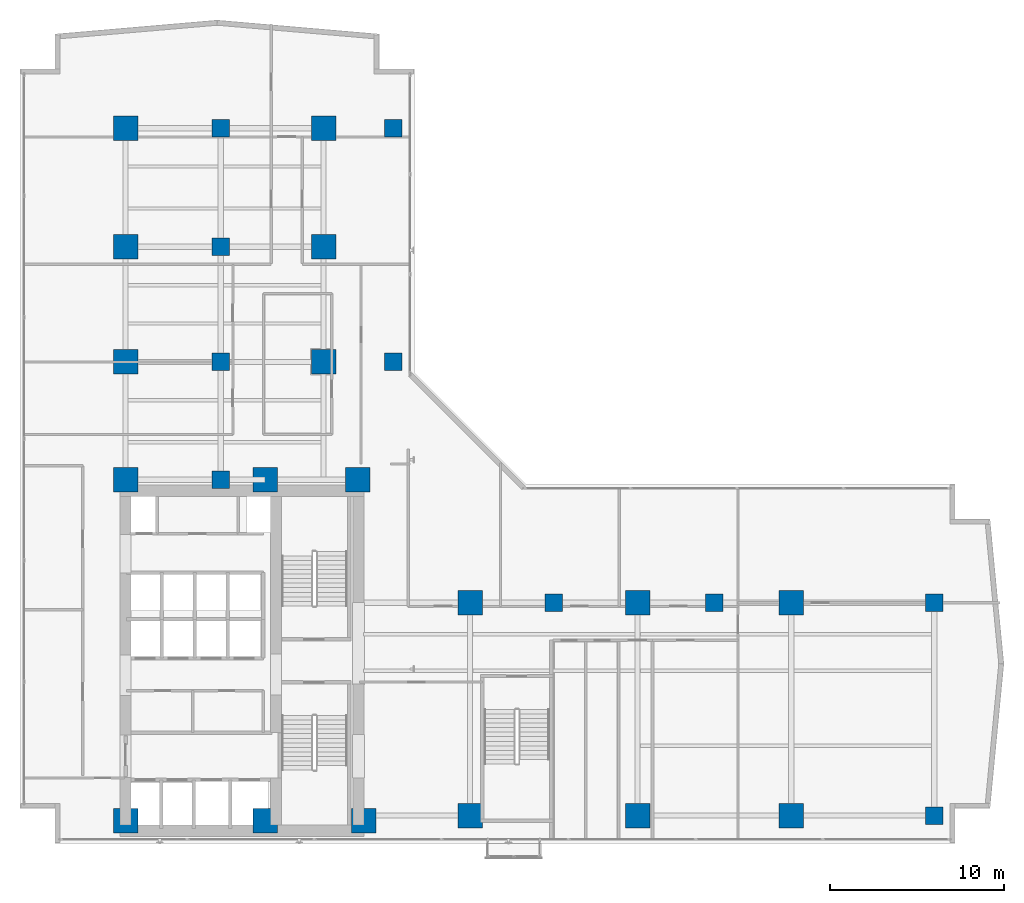
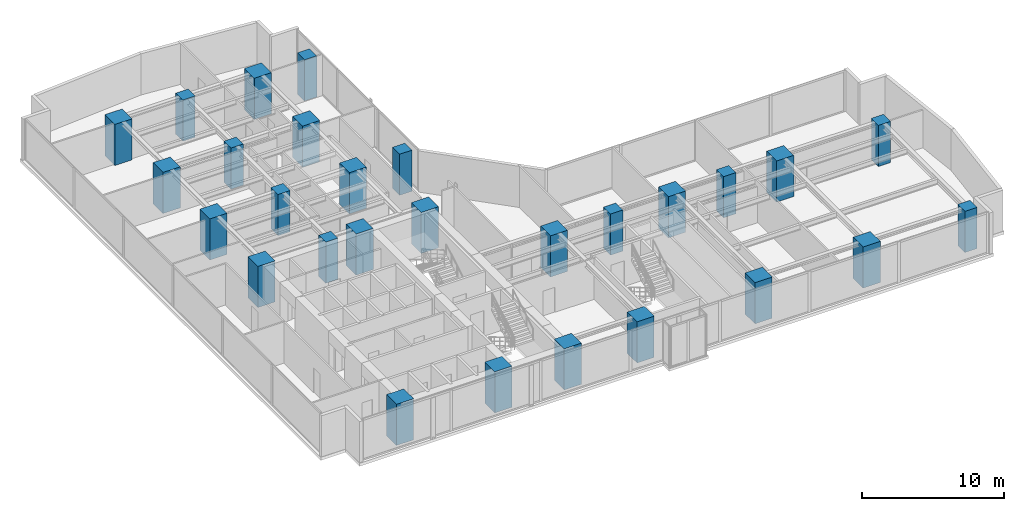
# One storey, part 1 of 26: 28 columns.
"""IFC4 building model written with IfcOpenShell, lengths in metres."""

from ifc_helpers import new_model, si_unit, direction, frame, origin, origin_2d, place, context, subcontext, project, spatial, rectangle, extrude, material, material_profile, profile_set, type_object, element, save


model = new_model("IFC4")

# Units and contexts
model_context = context("Model", 3, precision=1e-05, world=origin(), true_north=direction((0.0, 1.0)))
body_context = subcontext(model_context, "Body", "Model", "MODEL_VIEW")
ifc_project = project(units=[si_unit("LENGTHUNIT", "METRE"), si_unit("AREAUNIT", "SQUARE_METRE"), si_unit("VOLUMEUNIT", "CUBIC_METRE"), si_unit("PLANEANGLEUNIT", "RADIAN"), si_unit("MASSUNIT", "GRAM", prefix="KILO")], contexts=[model_context])

# Site, building, storey
site_placement = place(None, origin())
site = spatial("IfcSite", under=ifc_project, at=site_placement, CompositionType="ELEMENT")
building_placement = place(site_placement, origin())
building = spatial("IfcBuilding", under=site, at=building_placement, Name="Kolvaren Waterfront Exchange", CompositionType="ELEMENT")
storey_placement = place(building_placement, frame((0.0, 0.0, 125.89990234375)))
storey = spatial("IfcBuildingStorey", under=building, at=storey_placement, Name="L32", CompositionType="ELEMENT", Elevation=125.89990234375)

# Columns
ifc_material = material(Name="Concrete C60/75", Category="concrete")
ifc_material_profile_1 = material_profile(ifc_material, rectangle(XDim=1.0, YDim=1.0, at=origin_2d()), Name="RC-COL-1000x1000")
ifc_profile_set_1 = profile_set([ifc_material_profile_1], Name="Concrete C60/75")
column_type_1 = type_object("IfcColumnType", Name="STR-COL-1000-C60", PredefinedType="COLUMN", material=ifc_profile_set_1)
for number, where, z_axis, x_axis, name in (
    (1, (53.800048828125, 5.199951171875, 0.0), (0.0, 0.0, 1.0), (1.0, 0.0, 0.0), "L32 column ZC01"),
    (2, (53.800048828125, 17.39990234375, 0.0), (0.0, 0.0, 1.0), (1.0, 0.0, 0.0), "L32 column ZC02"),
    (3, (22.800048828125, 31.199951171875, 0.0), (0.0, 0.0, 1.0), (1.0, 0.0, 0.0), "L32 column ZC05"),
    (4, (22.800048828125, 44.60009765625, 0.0), (0.0, 0.0, 1.0), (1.0, 0.0, 0.0), "L32 column ZC06"),
    (5, (12.89990234375, 24.449951171875, 0.0), (0.0, 0.0, 1.0), (1.0, 0.0, 0.0), "L32 column TC01"),
    (6, (12.89990234375, 31.199951171875, 0.0), (0.0, 0.0, 1.0), (1.0, 0.0, 0.0), "L32 column TC02"),
    (7, (12.89990234375, 37.800048828125, 0.0), (0.0, 0.0, 1.0), (1.0, 0.0, 0.0), "L32 column TC03"),
    (8, (12.89990234375, 44.60009765625, 0.0), (0.0, 0.0, 1.0), (1.0, 0.0, 0.0), "L32 column TC04"),
    (9, (32.0, 17.39990234375, 0.0), (0.0, 0.0, 1.0), (1.0, 0.0, 0.0), "L32 column TC05"),
    (10, (41.199951171875, 17.39990234375, 0.0), (0.0, 0.0, 1.0), (1.0, 0.0, 0.0), "L32 column TC06"),
):
    element("IfcColumn", number, at=place(storey_placement, frame(where, z_axis=z_axis, x_axis=x_axis)), inside=storey, type_object=column_type_1, Name=name, PredefinedType="COLUMN", context=body_context, shape_type="SweptSolid", body=[
        extrude(rectangle(XDim=1.0, YDim=1.0, at=origin_2d()), origin(), (0.0, 0.0, 1.0), 3.5400390625),
    ])
ifc_material_profile_2 = material_profile(ifc_material, rectangle(XDim=1.39990234375, YDim=1.39990234375, at=origin_2d()), Name="RC-COL-1400x1400")
ifc_profile_set_2 = profile_set([ifc_material_profile_2], Name="Concrete C60/75")
column_type_2 = type_object("IfcColumnType", Name="STR-COL-1400-C60", PredefinedType="COLUMN", material=ifc_profile_set_2)
for number, where, z_axis, x_axis, name in (
    (11, (7.449951171875, 4.89990234375, 0.0), (0.0, 0.0, 1.0), (1.0, 0.0, 0.0), "L32 column MC01"),
    (12, (15.449951171875, 4.89990234375, 0.0), (0.0, 0.0, 1.0), (1.0, 0.0, 0.0), "L32 column MC02"),
    (13, (21.10009765625, 4.89990234375, 0.0), (0.0, 0.0, 1.0), (1.0, 0.0, 0.0), "L32 column MC03"),
    (14, (7.449951171875, 24.449951171875, 0.0), (0.0, 0.0, 1.0), (1.0, 0.0, 0.0), "L32 column MC04"),
    (15, (15.449951171875, 24.449951171875, 0.0), (0.0, 0.0, 1.0), (1.0, 0.0, 0.0), "L32 column MC05"),
    (16, (20.75, 24.449951171875, 0.0), (0.0, 0.0, 1.0), (1.0, 0.0, 0.0), "L32 column MC06"),
    (17, (7.449951171875, 31.199951171875, 0.0), (0.0, 0.0, 1.0), (1.0, 0.0, 0.0), "L32 column NC01"),
    (18, (7.449951171875, 37.800048828125, 0.0), (0.0, 0.0, 1.0), (1.0, 0.0, 0.0), "L32 column NC02"),
    (19, (7.449951171875, 44.60009765625, 0.0), (0.0, 0.0, 1.0), (1.0, 0.0, 0.0), "L32 column NC03"),
    (20, (18.800048828125, 31.199951171875, 0.0), (0.0, 0.0, 1.0), (1.0, 0.0, 0.0), "L32 column NC04"),
    (21, (18.800048828125, 37.800048828125, 0.0), (0.0, 0.0, 1.0), (1.0, 0.0, 0.0), "L32 column NC05"),
    (22, (18.800048828125, 44.60009765625, 0.0), (0.0, 0.0, 1.0), (1.0, 0.0, 0.0), "L32 column NC06"),
    (23, (27.199951171875, 5.199951171875, 0.0), (0.0, 0.0, 1.0), (1.0, 0.0, 0.0), "L32 column EC01"),
    (24, (36.800048828125, 5.199951171875, 0.0), (0.0, 0.0, 1.0), (1.0, 0.0, 0.0), "L32 column EC02"),
    (25, (45.60009765625, 5.199951171875, 0.0), (0.0, 0.0, 1.0), (1.0, 0.0, 0.0), "L32 column EC03"),
    (26, (27.199951171875, 17.39990234375, 0.0), (0.0, 0.0, 1.0), (1.0, 0.0, 0.0), "L32 column EC04"),
    (27, (36.800048828125, 17.39990234375, 0.0), (0.0, 0.0, 1.0), (1.0, 0.0, 0.0), "L32 column EC05"),
    (28, (45.60009765625, 17.39990234375, 0.0), (0.0, 0.0, 1.0), (1.0, 0.0, 0.0), "L32 column EC06"),
):
    element("IfcColumn", number, at=place(storey_placement, frame(where, z_axis=z_axis, x_axis=x_axis)), inside=storey, type_object=column_type_2, Name=name, PredefinedType="COLUMN", context=body_context, shape_type="SweptSolid", body=[
        extrude(rectangle(XDim=1.39990234375, YDim=1.39990234375, at=origin_2d()), origin(), (0.0, 0.0, 1.0), 3.5400390625),
    ])

save(model, "model.ifc")
